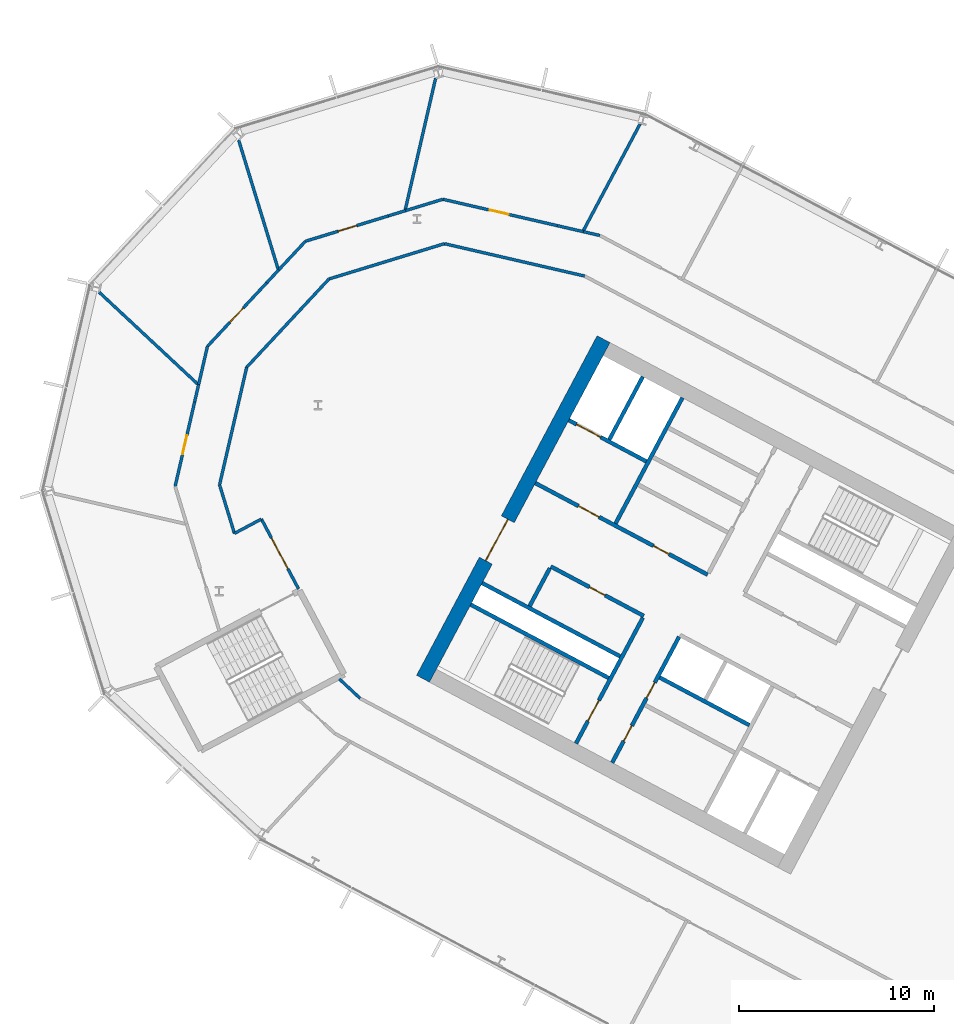
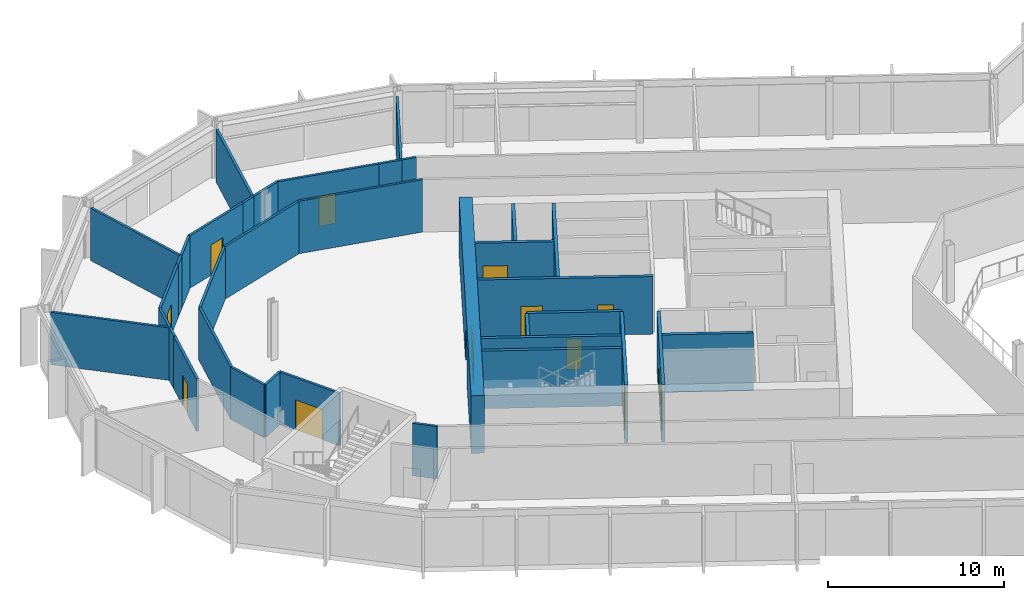
# One storey, part 14 of 28: 36 walls, 13 doors, 13 openings.
"""IFC4 building model written with IfcOpenShell, lengths in metres."""

from ifc_helpers import new_model, si_unit, direction, frame, frame_2d, origin, place, context, subcontext, project, spatial, rectangle, extrude, material, layer, layer_set, type_object, element, fill, save


model = new_model("IFC4")

# Units and contexts
model_context = context("Model", 3, precision=1e-05, world=origin(), true_north=direction((0.0, 1.0)))
body_context = subcontext(model_context, "Body", "Model", "MODEL_VIEW")
ifc_project = project(units=[si_unit("LENGTHUNIT", "METRE"), si_unit("AREAUNIT", "SQUARE_METRE"), si_unit("VOLUMEUNIT", "CUBIC_METRE"), si_unit("PLANEANGLEUNIT", "RADIAN"), si_unit("MASSUNIT", "GRAM", prefix="KILO")], contexts=[model_context])

# Site, building, storey
site_placement = place(None, origin())
site = spatial("IfcSite", under=ifc_project, at=site_placement, CompositionType="ELEMENT")
building_placement = place(site_placement, origin())
building = spatial("IfcBuilding", under=site, at=building_placement, Name="Cormorant Relay Tower", CompositionType="ELEMENT")
storey_placement = place(building_placement, frame((0.0, 0.0, 154.199951171875)))
storey = spatial("IfcBuildingStorey", under=building, at=storey_placement, Name="L32", CompositionType="ELEMENT", Elevation=154.199951171875)

# Wall, openings, doors
ifc_material_1 = material(Name="Concrete 50 MPa", Category="concrete")
ifc_layer_1 = layer(ifc_material_1, 0.199951171875)
ifc_layer_set_1 = layer_set([ifc_layer_1], Name="Core shaft wall 200")
wall_type_1 = type_object("IfcWallType", Name="Core shaft wall 200", PredefinedType="SHEAR", material=ifc_layer_set_1)
wall_1_placement = place(storey_placement, frame((-28.128173828125, 12.91748046875, 0.0), z_axis=(0.0, 0.0, 1.0), x_axis=(-0.469454336211, -0.882956752176, 0.0)))
wall_1 = element("IfcWall", 1, at=wall_1_placement, inside=storey, type_object=wall_type_1, Name="L32 core A shaft wall", PredefinedType="SHEAR", context=body_context, shape_type="SweptSolid", body=[
    extrude(rectangle(XDim=7.300048828125, YDim=0.199951171875, at=frame_2d((3.64990234375, 0.0))), origin(), (0.0, 0.0, 1.0), 4.0),
])
opening_1_placement = place(wall_1_placement, frame((2.64990234375, 0.0, 0.0)))
opening_1 = element("IfcOpeningElement", 2, at=opening_1_placement, cuts=wall_1, Name="Opening CDD-172", PredefinedType="OPENING", context=body_context, shape_type="SweptSolid", body=[
    extrude(rectangle(XDim=0.89990234375, YDim=2.10009765625, at=frame_2d((0.449951171875, 1.050048828125))), frame((0.0, 0.10986328125, 0.0), z_axis=(0.0, -1.0, 0.0), x_axis=(1.0, 0.0, 0.0)), (0.0, 0.0, 1.0), 0.219970703125),
])
opening_2_placement = place(wall_1_placement, frame((5.14990234375, 0.0, 0.0)))
opening_2 = element("IfcOpeningElement", 3, at=opening_2_placement, cuts=wall_1, Name="Opening CDD-173", PredefinedType="OPENING", context=body_context, shape_type="SweptSolid", body=[
    extrude(rectangle(XDim=0.89990234375, YDim=2.10009765625, at=frame_2d((0.449951171875, 1.050048828125))), frame((0.0, 0.10986328125, 0.0), z_axis=(0.0, -1.0, 0.0), x_axis=(1.0, 0.0, 0.0)), (0.0, 0.0, 1.0), 0.219970703125),
])
ifc_material_2 = material(Name="Steel fire door", Category="steel")
door_type_1 = type_object("IfcDoorType", Name="Core room door 900x2100", OperationType="SINGLE_SWING_LEFT", PredefinedType="DOOR", material=ifc_material_2)
door_1_placement = place(opening_1_placement, origin())
door_1 = element("IfcDoor", 4, at=door_1_placement, inside=storey, type_object=door_type_1, Name="Core room door 900x2100", OperationType="SINGLE_SWING_LEFT", OverallHeight=2.10009765625, OverallWidth=0.89990234375, PredefinedType="DOOR", context=body_context, shape_type="SweptSolid", body=[
    extrude(rectangle(XDim=0.89990234375, YDim=2.10009765625, at=frame_2d((0.449951171875, 1.050048828125))), frame((0.0, 0.02490234375, 0.0), z_axis=(0.0, -1.0, 0.0), x_axis=(1.0, 0.0, 0.0)), (0.0, 0.0, 1.0), 0.050048828125),
])
fill(opening_1, door_1)
door_2_placement = place(opening_2_placement, origin())
door_2 = element("IfcDoor", 5, at=door_2_placement, inside=storey, type_object=door_type_1, Name="Core room door 900x2100", OperationType="SINGLE_SWING_LEFT", OverallHeight=2.10009765625, OverallWidth=0.89990234375, PredefinedType="DOOR", context=body_context, shape_type="SweptSolid", body=[
    extrude(rectangle(XDim=0.89990234375, YDim=2.10009765625, at=frame_2d((0.449951171875, 1.050048828125))), frame((0.0, 0.02490234375, 0.0), z_axis=(0.0, -1.0, 0.0), x_axis=(1.0, 0.0, 0.0)), (0.0, 0.0, 1.0), 0.050048828125),
])
fill(opening_2, door_2)

# Wall, opening, door
wall_2_placement = place(storey_placement, frame((-29.982421875, 13.9033203125, 0.0), z_axis=(0.0, 0.0, 1.0), x_axis=(-0.469454336211, -0.882956752176, 0.0)))
wall_2 = element("IfcWall", 6, at=wall_2_placement, inside=storey, type_object=wall_type_1, Name="L32 core A shaft wall", PredefinedType="SHEAR", context=body_context, shape_type="SweptSolid", body=[
    extrude(rectangle(XDim=7.300048828125, YDim=0.199951171875, at=frame_2d((3.64990234375, 0.0))), origin(), (0.0, 0.0, 1.0), 4.0),
])
opening_3_placement = place(wall_2_placement, frame((4.800048828125, 0.0, 0.0)))
opening_3 = element("IfcOpeningElement", 7, at=opening_3_placement, cuts=wall_2, Name="Opening CDB-035", PredefinedType="OPENING", context=body_context, shape_type="SweptSolid", body=[
    extrude(rectangle(XDim=1.199951171875, YDim=2.10009765625, at=frame_2d((0.60009765625, 1.050048828125))), frame((0.0, 0.10986328125, 0.0), z_axis=(0.0, -1.0, 0.0), x_axis=(1.0, 0.0, 0.0)), (0.0, 0.0, 1.0), 0.219970703125),
])
ifc_material_3 = material(Name="Steel fire door", Category="steel")
door_type_2 = type_object("IfcDoorType", Name="Core stair door 1200x2100", OperationType="SINGLE_SWING_LEFT", PredefinedType="DOOR", material=ifc_material_3)
door_3_placement = place(opening_3_placement, frame((1.199951171875, 0.0, 0.0), z_axis=(0.0, 0.0, 1.0), x_axis=(-1.0, 0.0, 0.0)))
door_3 = element("IfcDoor", 8, at=door_3_placement, inside=storey, type_object=door_type_2, Name="Core stair door 1200x2100", OperationType="SINGLE_SWING_RIGHT", OverallHeight=2.10009765625, OverallWidth=1.199951171875, PredefinedType="DOOR", context=body_context, shape_type="SweptSolid", body=[
    extrude(rectangle(XDim=1.199951171875, YDim=2.10009765625, at=frame_2d((0.60009765625, 1.050048828125))), frame((0.0, 0.02490234375, 0.0), z_axis=(0.0, -1.0, 0.0), x_axis=(1.0, 0.0, 0.0)), (0.0, 0.0, 1.0), 0.050048828125),
])
fill(opening_3, door_3)

# Walls
wall_3_placement = place(storey_placement, frame((-27.955322265625, 25.170654296875, 0.0), z_axis=(0.0, 0.0, 1.0), x_axis=(-0.469480409012, -0.88294288918, 0.0)))
element("IfcWall", 9, at=wall_3_placement, inside=storey, type_object=wall_type_1, Name="L32 core A shaft wall", PredefinedType="SHEAR", context=body_context, shape_type="SweptSolid", body=[
    extrude(rectangle(XDim=7.300048828125, YDim=0.199951171875, at=frame_2d((3.64990234375, 0.0))), origin(), (0.0, 0.0, 1.0), 4.0),
])
wall_4_placement = place(storey_placement, frame((-34.750244140625, 16.4384765625, 0.0), z_axis=(0.0, 0.0, 1.0), x_axis=(-0.469401318492, -0.882984938828, 0.0)))
element("IfcWall", 10, at=wall_4_placement, inside=storey, type_object=wall_type_1, Name="L32 core A shaft wall", PredefinedType="SHEAR", context=body_context, shape_type="SweptSolid", body=[
    extrude(rectangle(XDim=2.199951171875, YDim=0.199951171875, at=frame_2d((1.10009765625, 0.0))), origin(), (0.0, 0.0, 1.0), 4.0),
])
wall_5_placement = place(storey_placement, frame((-29.986083984375, 26.250244140625, 0.0), z_axis=(0.0, 0.0, 1.0), x_axis=(-0.469494272526, -0.882935517501, 0.0)))
element("IfcWall", 11, at=wall_5_placement, inside=storey, type_object=wall_type_1, Name="L32 core A shaft wall", PredefinedType="SHEAR", context=body_context, shape_type="SweptSolid", body=[
    extrude(rectangle(XDim=3.64990234375, YDim=0.199951171875, at=frame_2d((1.824951171875, 0.0))), origin(), (0.0, 0.0, 1.0), 4.0),
])

# Wall, opening, door
wall_6_placement = place(storey_placement, frame((-29.80419921875, 21.906494140625, 0.0), z_axis=(0.0, 0.0, 1.0), x_axis=(-0.882960433586, 0.469447412093, 0.0)))
wall_6 = element("IfcWall", 12, at=wall_6_placement, inside=storey, type_object=wall_type_1, Name="L32 core A shaft wall", PredefinedType="SHEAR", context=body_context, shape_type="SweptSolid", body=[
    extrude(rectangle(XDim=4.5, YDim=0.199951171875, at=frame_2d((2.25, 0.0))), origin(), (0.0, 0.0, 1.0), 4.0),
])
opening_4_placement = place(wall_6_placement, frame((2.64990234375, 0.0, 0.0)))
opening_4 = element("IfcOpeningElement", 13, at=opening_4_placement, cuts=wall_6, Name="Opening LD3-013", PredefinedType="OPENING", context=body_context, shape_type="SweptSolid", body=[
    extrude(rectangle(XDim=1.39990234375, YDim=2.39990234375, at=frame_2d((0.699951171875, 1.199951171875))), frame((0.0, 0.10986328125, 0.0), z_axis=(0.0, -1.0, 0.0), x_axis=(1.0, 0.0, 0.0)), (0.0, 0.0, 1.0), 0.219970703125),
])
ifc_material_4 = material(Name="Stainless steel 316", Category="steel")
door_type_3 = type_object("IfcDoorType", Name="Lift landing door 1400x2400", OperationType="DOUBLE_DOOR_SLIDING", PredefinedType="DOOR", material=ifc_material_4)
door_4_placement = place(opening_4_placement, origin())
door_4 = element("IfcDoor", 14, at=door_4_placement, inside=storey, type_object=door_type_3, Name="SV1 landing door", OperationType="DOUBLE_DOOR_SLIDING", OverallHeight=2.39990234375, OverallWidth=1.39990234375, PredefinedType="DOOR", context=body_context, shape_type="SweptSolid", body=[
    extrude(rectangle(XDim=1.39990234375, YDim=2.39990234375, at=frame_2d((0.699951171875, 1.199951171875))), frame((0.0, 0.02490234375, 0.0), z_axis=(0.0, -1.0, 0.0), x_axis=(1.0, 0.0, 0.0)), (0.0, 0.0, 1.0), 0.050048828125),
])
fill(opening_4, door_4)

# Wall, openings, doors
wall_7_placement = place(storey_placement, frame((-26.66162109375, 16.1015625, 0.0), z_axis=(0.0, 0.0, 1.0), x_axis=(-0.882940221191, 0.469485426614, 0.0)))
wall_7 = element("IfcWall", 15, at=wall_7_placement, inside=storey, type_object=wall_type_1, Name="L32 core A shaft wall", PredefinedType="SHEAR", context=body_context, shape_type="SweptSolid", body=[
    extrude(rectangle(XDim=10.0, YDim=0.199951171875, at=frame_2d((5.0, 0.0))), origin(), (0.0, 0.0, 1.0), 4.0),
])
opening_5_placement = place(wall_7_placement, frame((6.300048828125, 0.0, 0.0)))
opening_5 = element("IfcOpeningElement", 16, at=opening_5_placement, cuts=wall_7, Name="Opening CDC-026", PredefinedType="OPENING", context=body_context, shape_type="SweptSolid", body=[
    extrude(rectangle(XDim=1.199951171875, YDim=2.10009765625, at=frame_2d((0.60009765625, 1.050048828125))), frame((0.0, 0.10986328125, 0.0), z_axis=(0.0, -1.0, 0.0), x_axis=(1.0, 0.0, 0.0)), (0.0, 0.0, 1.0), 0.219970703125),
])
opening_6_placement = place(wall_7_placement, frame((2.25, 0.0, 0.0)))
opening_6 = element("IfcOpeningElement", 17, at=opening_6_placement, cuts=wall_7, Name="Opening CDD-207", PredefinedType="OPENING", context=body_context, shape_type="SweptSolid", body=[
    extrude(rectangle(XDim=0.89990234375, YDim=2.10009765625, at=frame_2d((0.449951171875, 1.050048828125))), frame((0.0, 0.10986328125, 0.0), z_axis=(0.0, -1.0, 0.0), x_axis=(1.0, 0.0, 0.0)), (0.0, 0.0, 1.0), 0.219970703125),
])
ifc_material_5 = material(Name="Steel fire door", Category="steel")
door_type_4 = type_object("IfcDoorType", Name="Core lobby door 1200x2100", OperationType="SINGLE_SWING_LEFT", PredefinedType="DOOR", material=ifc_material_5)
door_5_placement = place(opening_5_placement, origin())
door_5 = element("IfcDoor", 18, at=door_5_placement, inside=storey, type_object=door_type_4, Name="Core lobby door 1200x2100", OperationType="SINGLE_SWING_LEFT", OverallHeight=2.10009765625, OverallWidth=1.199951171875, PredefinedType="DOOR", context=body_context, shape_type="SweptSolid", body=[
    extrude(rectangle(XDim=1.199951171875, YDim=2.10009765625, at=frame_2d((0.60009765625, 1.050048828125))), frame((0.0, 0.02490234375, 0.0), z_axis=(0.0, -1.0, 0.0), x_axis=(1.0, 0.0, 0.0)), (0.0, 0.0, 1.0), 0.050048828125),
])
fill(opening_5, door_5)
door_6_placement = place(opening_6_placement, origin())
door_6 = element("IfcDoor", 19, at=door_6_placement, inside=storey, type_object=door_type_1, Name="Core room door 900x2100", OperationType="SINGLE_SWING_LEFT", OverallHeight=2.10009765625, OverallWidth=0.89990234375, PredefinedType="DOOR", context=body_context, shape_type="SweptSolid", body=[
    extrude(rectangle(XDim=0.89990234375, YDim=2.10009765625, at=frame_2d((0.449951171875, 1.050048828125))), frame((0.0, 0.02490234375, 0.0), z_axis=(0.0, -1.0, 0.0), x_axis=(1.0, 0.0, 0.0)), (0.0, 0.0, 1.0), 0.050048828125),
])
fill(opening_6, door_6)

# Wall, opening, door
wall_8_placement = place(storey_placement, frame((-29.935302734375, 13.991455078125, 0.0), z_axis=(0.0, 0.0, 1.0), x_axis=(-0.882952937579, 0.469461510692, 0.0)))
wall_8 = element("IfcWall", 20, at=wall_8_placement, inside=storey, type_object=wall_type_1, Name="L32 core A shaft wall", PredefinedType="SHEAR", context=body_context, shape_type="SweptSolid", body=[
    extrude(rectangle(XDim=5.400146484375, YDim=0.199951171875, at=frame_2d((2.7001953125, 0.0))), origin(), (0.0, 0.0, 1.0), 4.0),
])
opening_7_placement = place(wall_8_placement, frame((2.25, 0.0, 0.0)))
opening_7 = element("IfcOpeningElement", 21, at=opening_7_placement, cuts=wall_8, Name="Opening CDD-184", PredefinedType="OPENING", context=body_context, shape_type="SweptSolid", body=[
    extrude(rectangle(XDim=0.89990234375, YDim=2.10009765625, at=frame_2d((0.449951171875, 1.050048828125))), frame((0.0, 0.10986328125, 0.0), z_axis=(0.0, -1.0, 0.0), x_axis=(1.0, 0.0, 0.0)), (0.0, 0.0, 1.0), 0.219970703125),
])
door_7_placement = place(opening_7_placement, origin())
door_7 = element("IfcDoor", 22, at=door_7_placement, inside=storey, type_object=door_type_1, Name="Core room door 900x2100", OperationType="SINGLE_SWING_LEFT", OverallHeight=2.10009765625, OverallWidth=0.89990234375, PredefinedType="DOOR", context=body_context, shape_type="SweptSolid", body=[
    extrude(rectangle(XDim=0.89990234375, YDim=2.10009765625, at=frame_2d((0.449951171875, 1.050048828125))), frame((0.0, 0.02490234375, 0.0), z_axis=(0.0, -1.0, 0.0), x_axis=(1.0, 0.0, 0.0)), (0.0, 0.0, 1.0), 0.050048828125),
])
fill(opening_7, door_7)

# Walls
wall_9_placement = place(storey_placement, frame((-24.5283203125, 8.3984375, 0.0), z_axis=(0.0, 0.0, 1.0), x_axis=(-0.882953967957, 0.469459572775, 0.0)))
element("IfcWall", 23, at=wall_9_placement, inside=storey, type_object=wall_type_1, Name="L32 core A shaft wall", PredefinedType="SHEAR", context=body_context, shape_type="SweptSolid", body=[
    extrude(rectangle(XDim=5.199951171875, YDim=0.199951171875, at=frame_2d((2.60009765625, 0.0))), origin(), (0.0, 0.0, 1.0), 4.0),
])
for number, where, z_axis, x_axis, name in (
    (24, (-31.150390625, 11.91943359375, 0.0), (0.0, 0.0, 1.0), (-0.882940221191, 0.469485426614, 0.0), "L32 core A shaft wall"),
    (25, (-31.7373046875, 10.815673828125, 0.0), (0.0, 0.0, 1.0), (-0.882940221191, 0.469485426614, 0.0), "L32 core A shaft wall"),
):
    element("IfcWall", number, at=place(storey_placement, frame(where, z_axis=z_axis, x_axis=x_axis)), inside=storey, type_object=wall_type_1, Name=name, PredefinedType="SHEAR", context=body_context, shape_type="SweptSolid", body=[
        extrude(rectangle(XDim=8.0, YDim=0.199951171875, at=frame_2d((4.0, 0.0))), origin(), (0.0, 0.0, 1.0), 4.0),
    ])

# Wall, opening, door
ifc_material_6 = material(Name="Concrete 60 MPa", Category="concrete")
ifc_layer_2 = layer(ifc_material_6, 0.75)
ifc_layer_set_2 = layer_set([ifc_layer_2], Name="Core wall 750")
wall_type_2 = type_object("IfcWallType", Name="Core wall 750", PredefinedType="SHEAR", material=ifc_layer_set_2)
wall_10_placement = place(storey_placement, frame((-31.995849609375, 28.16845703125, 0.0), z_axis=(0.0, 0.0, 1.0), x_axis=(-0.469479580143, -0.882943329908, 0.0)))
wall_10 = element("IfcWall", 26, at=wall_10_placement, inside=storey, type_object=wall_type_2, Name="L32 core A wall", PredefinedType="SHEAR", context=body_context, shape_type="SweptSolid", body=[
    extrude(rectangle(XDim=19.699951171875, YDim=0.75, at=frame_2d((9.85009765625, 0.0))), origin(), (0.0, 0.0, 1.0), 4.0),
])
opening_8_placement = place(wall_10_placement, frame((10.449951171875, 0.0, 0.0)))
opening_8 = element("IfcOpeningElement", 27, at=opening_8_placement, cuts=wall_10, Name="Opening CDA-027", PredefinedType="OPENING", context=body_context, shape_type="SweptSolid", body=[
    extrude(rectangle(XDim=2.39990234375, YDim=2.39990234375, at=frame_2d((1.199951171875, 1.199951171875))), frame((0.0, 0.385009765625, 0.0), z_axis=(0.0, -1.0, 0.0), x_axis=(1.0, 0.0, 0.0)), (0.0, 0.0, 1.0), 0.77001953125),
])
ifc_material_7 = material(Name="Steel fire door", Category="steel")
door_type_5 = type_object("IfcDoorType", Name="Core lobby door 2400x2400", OperationType="DOUBLE_DOOR_SINGLE_SWING", PredefinedType="DOOR", material=ifc_material_7)
door_8_placement = place(opening_8_placement, origin())
door_8 = element("IfcDoor", 28, at=door_8_placement, inside=storey, type_object=door_type_5, Name="Core lobby door 2400x2400", OperationType="DOUBLE_DOOR_SINGLE_SWING", OverallHeight=2.39990234375, OverallWidth=2.39990234375, PredefinedType="DOOR", context=body_context, shape_type="SweptSolid", body=[
    extrude(rectangle(XDim=2.39990234375, YDim=2.39990234375, at=frame_2d((1.199951171875, 1.199951171875))), frame((0.0, 0.02490234375, 0.0), z_axis=(0.0, -1.0, 0.0), x_axis=(1.0, 0.0, 0.0)), (0.0, 0.0, 1.0), 0.050048828125),
])
fill(opening_8, door_8)

ifc_material_8 = material(Name="Gypsum board fire partition")
ifc_layer_3 = layer(ifc_material_8, 0.14990234375)
ifc_layer_set_3 = layer_set([ifc_layer_3], Name="Corridor partition 150 EI 60")
wall_type_3 = type_object("IfcWallType", Name="Corridor partition 150 EI 60", PredefinedType="PARTITIONING", material=ifc_layer_set_3)
wall_11_placement = place(storey_placement, frame((-52.944091796875, 24.9560546875, 0.0), z_axis=(0.0, 0.0, 1.0), x_axis=(-0.225004075032, -0.974357822475, 0.0)))
wall_11 = element("IfcWall", 29, at=wall_11_placement, inside=storey, type_object=wall_type_3, Name="wall/L32/part/004", PredefinedType="PARTITIONING", context=body_context, shape_type="SweptSolid", body=[
    extrude(rectangle(XDim=4.43994140625, YDim=0.14990234375, at=frame_2d((2.219970703125, 0.0))), origin(), (0.0, 0.0, 1.0), 3.64013671875),
])
opening_9_placement = place(wall_11_placement, frame((1.75, 0.0, 0.0)))
opening_9 = element("IfcOpeningElement", 30, at=opening_9_placement, cuts=wall_11, Name="Opening DS-057", PredefinedType="OPENING", context=body_context, shape_type="SweptSolid", body=[
    extrude(rectangle(XDim=1.0, YDim=2.10009765625, at=frame_2d((0.5, 1.050048828125))), frame((0.0, 0.0849609375, 0.0), z_axis=(0.0, -1.0, 0.0), x_axis=(1.0, 0.0, 0.0)), (0.0, 0.0, 1.0), 0.169921875),
])
ifc_material_9 = material(Name="Timber door leaf", Category="wood")
door_type_6 = type_object("IfcDoorType", Name="Suite door 1000x2100", OperationType="SINGLE_SWING_LEFT", PredefinedType="DOOR", material=ifc_material_9)
door_9_placement = place(opening_9_placement, frame((1.0, 0.0, 0.0), z_axis=(0.0, 0.0, 1.0), x_axis=(-1.0, 0.0, 0.0)))
door_9 = element("IfcDoor", 31, at=door_9_placement, inside=storey, type_object=door_type_6, Name="door/L32/015", OperationType="SINGLE_SWING_RIGHT", OverallHeight=2.10009765625, OverallWidth=1.0, PredefinedType="DOOR", context=body_context, shape_type="SweptSolid", body=[
    extrude(rectangle(XDim=1.0, YDim=2.10009765625, at=frame_2d((0.5, 1.050048828125))), frame((0.0, 0.02490234375, 0.0), z_axis=(0.0, -1.0, 0.0), x_axis=(1.0, 0.0, 0.0)), (0.0, 0.0, 1.0), 0.050048828125),
])
fill(opening_9, door_9)

# Wall
wall_12_placement = place(storey_placement, frame((-52.944091796875, 24.9560546875, 0.0), z_axis=(0.0, 0.0, 1.0), x_axis=(0.224898245089, 0.974382255255, 0.0)))
element("IfcWall", 32, at=wall_12_placement, inside=storey, type_object=wall_type_3, Name="wall/L32/part/007", PredefinedType="PARTITIONING", context=body_context, shape_type="SweptSolid", body=[
    extrude(rectangle(XDim=0.920654296875, YDim=0.14990234375, at=frame_2d((0.46044921875, 0.0))), origin(), (0.0, 0.0, 1.0), 3.64013671875),
])

# Wall, opening, door
wall_13_placement = place(storey_placement, frame((-49.260009765625, 31.048095703125, 0.0), z_axis=(0.0, 0.0, 1.0), x_axis=(-0.682006580668, -0.731346035694, 0.0)))
wall_13 = element("IfcWall", 33, at=wall_13_placement, inside=storey, type_object=wall_type_3, Name="wall/L32/part/008", PredefinedType="PARTITIONING", context=body_context, shape_type="SweptSolid", body=[
    extrude(rectangle(XDim=4.4384765625, YDim=0.14990234375, at=frame_2d((2.21923828125, 0.0))), origin(), (0.0, 0.0, 1.0), 3.64013671875),
])
opening_10_placement = place(wall_13_placement, frame((1.7509765625, 0.0, 0.0)))
opening_10 = element("IfcOpeningElement", 34, at=opening_10_placement, cuts=wall_13, Name="Opening DS-056", PredefinedType="OPENING", context=body_context, shape_type="SweptSolid", body=[
    extrude(rectangle(XDim=1.0, YDim=2.10009765625, at=frame_2d((0.5, 1.050048828125))), frame((0.0, 0.0849609375, 0.0), z_axis=(0.0, -1.0, 0.0), x_axis=(1.0, 0.0, 0.0)), (0.0, 0.0, 1.0), 0.169921875),
])
door_10_placement = place(opening_10_placement, frame((1.0, 0.0, 0.0), z_axis=(0.0, 0.0, 1.0), x_axis=(-1.0, 0.0, 0.0)))
door_10 = element("IfcDoor", 35, at=door_10_placement, inside=storey, type_object=door_type_6, Name="door/L32/014", OperationType="SINGLE_SWING_RIGHT", OverallHeight=2.10009765625, OverallWidth=1.0, PredefinedType="DOOR", context=body_context, shape_type="SweptSolid", body=[
    extrude(rectangle(XDim=1.0, YDim=2.10009765625, at=frame_2d((0.5, 1.050048828125))), frame((0.0, 0.02490234375, 0.0), z_axis=(0.0, -1.0, 0.0), x_axis=(1.0, 0.0, 0.0)), (0.0, 0.0, 1.0), 0.050048828125),
])
fill(opening_10, door_10)

# Walls
wall_14_placement = place(storey_placement, frame((-52.287109375, 27.802001953125, 0.0), z_axis=(0.0, 0.0, 1.0), x_axis=(-0.224948647558, -0.974370620432, 0.0)))
element("IfcWall", 36, at=wall_14_placement, inside=storey, type_object=wall_type_3, Name="wall/L32/part/009", PredefinedType="PARTITIONING", context=body_context, shape_type="SweptSolid", body=[
    extrude(rectangle(XDim=2.000244140625, YDim=0.14990234375, at=frame_2d((1.0, 0.0))), origin(), (0.0, 0.0, 1.0), 3.64013671875),
])
wall_15_placement = place(storey_placement, frame((-49.260009765625, 31.048095703125, 0.0), z_axis=(0.0, 0.0, 1.0), x_axis=(0.68175139462, 0.731583922687, 0.0)))
element("IfcWall", 37, at=wall_15_placement, inside=storey, type_object=wall_type_3, Name="wall/L32/part/013", PredefinedType="PARTITIONING", context=body_context, shape_type="SweptSolid", body=[
    extrude(rectangle(XDim=0.921142578125, YDim=0.14990234375, at=frame_2d((0.46044921875, 0.0))), origin(), (0.0, 0.0, 1.0), 3.64013671875),
])
wall_16_placement = place(storey_placement, frame((-47.26708984375, 33.18505859375, 0.0), z_axis=(0.0, 0.0, 1.0), x_axis=(-0.682157389431, -0.731205372002, 0.0)))
element("IfcWall", 38, at=wall_16_placement, inside=storey, type_object=wall_type_3, Name="wall/L32/part/014", PredefinedType="PARTITIONING", context=body_context, shape_type="SweptSolid", body=[
    extrude(rectangle(XDim=2.0009765625, YDim=0.14990234375, at=frame_2d((1.00048828125, 0.0))), origin(), (0.0, 0.0, 1.0), 3.64013671875),
])

# Wall, opening, door
wall_17_placement = place(storey_placement, frame((-47.26806640625, 33.18505859375, 0.0), z_axis=(0.0, 0.0, 1.0), x_axis=(0.956324248272, 0.292307940652, 0.0)))
wall_17 = element("IfcWall", 39, at=wall_17_placement, inside=storey, type_object=wall_type_3, Name="wall/L32/part/015", PredefinedType="PARTITIONING", context=body_context, shape_type="SweptSolid", body=[
    extrude(rectangle(XDim=4.43994140625, YDim=0.14990234375, at=frame_2d((2.219970703125, 0.0))), origin(), (0.0, 0.0, 1.0), 3.64013671875),
])
opening_11_placement = place(wall_17_placement, frame((1.75, 0.0, 0.0)))
opening_11 = element("IfcOpeningElement", 40, at=opening_11_placement, cuts=wall_17, Name="Opening DS-055", PredefinedType="OPENING", context=body_context, shape_type="SweptSolid", body=[
    extrude(rectangle(XDim=1.0, YDim=2.10009765625, at=frame_2d((0.5, 1.050048828125))), frame((0.0, 0.0849609375, 0.0), z_axis=(0.0, -1.0, 0.0), x_axis=(1.0, 0.0, 0.0)), (0.0, 0.0, 1.0), 0.169921875),
])
door_11_placement = place(opening_11_placement, origin())
door_11 = element("IfcDoor", 41, at=door_11_placement, inside=storey, type_object=door_type_6, Name="door/L32/013", OperationType="SINGLE_SWING_RIGHT", OverallHeight=2.10009765625, OverallWidth=1.0, PredefinedType="DOOR", context=body_context, shape_type="SweptSolid", body=[
    extrude(rectangle(XDim=1.0, YDim=2.10009765625, at=frame_2d((0.5, 1.050048828125))), frame((0.0, 0.02490234375, 0.0), z_axis=(0.0, -1.0, 0.0), x_axis=(1.0, 0.0, 0.0)), (0.0, 0.0, 1.0), 0.050048828125),
])
fill(opening_11, door_11)

wall_18_placement = place(storey_placement, frame((-47.62109375, 15.3779296875, 0.0), z_axis=(0.0, 0.0, 1.0), x_axis=(-0.469542997944, 0.882909606404, 0.0)))
wall_18 = element("IfcWall", 42, at=wall_18_placement, inside=storey, type_object=wall_type_3, Name="wall/L32/part/016", PredefinedType="PARTITIONING", context=body_context, shape_type="SweptSolid", body=[
    extrude(rectangle(XDim=4.050537109375, YDim=0.14990234375, at=frame_2d((2.025390625, 0.0))), origin(), (0.0, 0.0, 1.0), 3.64013671875),
])
opening_12_placement = place(wall_18_placement, frame((1.14990234375, 0.0, 0.0)))
opening_12 = element("IfcOpeningElement", 43, at=opening_12_placement, cuts=wall_18, Name="Opening DD-005", PredefinedType="OPENING", context=body_context, shape_type="SweptSolid", body=[
    extrude(rectangle(XDim=1.800048828125, YDim=2.10009765625, at=frame_2d((0.89990234375, 1.050048828125))), frame((0.0, 0.0849609375, 0.0), z_axis=(0.0, -1.0, 0.0), x_axis=(1.0, 0.0, 0.0)), (0.0, 0.0, 1.0), 0.169921875),
])
ifc_material_10 = material(Name="Timber door leaf", Category="wood")
door_type_7 = type_object("IfcDoorType", Name="Suite double door 1800x2100", OperationType="DOUBLE_DOOR_SINGLE_SWING", PredefinedType="DOOR", material=ifc_material_10)
door_12_placement = place(opening_12_placement, frame((1.800048828125, 0.0, 0.0), z_axis=(0.0, 0.0, 1.0), x_axis=(-1.0, 0.0, 0.0)))
door_12 = element("IfcDoor", 44, at=door_12_placement, inside=storey, type_object=door_type_7, Name="door/L32/001", OperationType="DOUBLE_DOOR_SINGLE_SWING", OverallHeight=2.10009765625, OverallWidth=1.800048828125, PredefinedType="DOOR", context=body_context, shape_type="SweptSolid", body=[
    extrude(rectangle(XDim=1.800048828125, YDim=2.10009765625, at=frame_2d((0.89990234375, 1.050048828125))), frame((0.0, 0.02490234375, 0.0), z_axis=(0.0, -1.0, 0.0), x_axis=(1.0, 0.0, 0.0)), (0.0, 0.0, 1.0), 0.050048828125),
])
fill(opening_12, door_12)

# Walls
wall_19_placement = place(storey_placement, frame((-49.52294921875, 18.9541015625, 0.0), z_axis=(0.0, 0.0, 1.0), x_axis=(-0.882883395231, -0.469592281053, 0.0)))
element("IfcWall", 45, at=wall_19_placement, inside=storey, type_object=wall_type_3, Name="wall/L32/part/017", PredefinedType="PARTITIONING", context=body_context, shape_type="SweptSolid", body=[
    extrude(rectangle(XDim=1.5654296875, YDim=0.14990234375, at=frame_2d((0.78271484375, 0.0))), origin(), (0.0, 0.0, 1.0), 3.64013671875),
])
wall_20_placement = place(storey_placement, frame((-50.905029296875, 18.218994140625, 0.0), z_axis=(0.0, 0.0, 1.0), x_axis=(-0.292616300327, 0.956229941376, 0.0)))
element("IfcWall", 46, at=wall_20_placement, inside=storey, type_object=wall_type_3, Name="wall/L32/part/018", PredefinedType="PARTITIONING", context=body_context, shape_type="SweptSolid", body=[
    extrude(rectangle(XDim=2.60400390625, YDim=0.14990234375, at=frame_2d((1.302001953125, 0.0))), origin(), (0.0, 0.0, 1.0), 3.64013671875),
])
wall_21_placement = place(storey_placement, frame((-51.6669921875, 20.708984375, 0.0), z_axis=(0.0, 0.0, 1.0), x_axis=(0.225044109818, 0.974348576556, 0.0)))
element("IfcWall", 47, at=wall_21_placement, inside=storey, type_object=wall_type_3, Name="wall/L32/part/019", PredefinedType="PARTITIONING", context=body_context, shape_type="SweptSolid", body=[
    extrude(rectangle(XDim=6.181396484375, YDim=0.14990234375, at=frame_2d((3.0908203125, 0.0))), origin(), (0.0, 0.0, 1.0), 3.64013671875),
])
wall_22_placement = place(storey_placement, frame((-50.27587890625, 26.73193359375, 0.0), z_axis=(0.0, 0.0, 1.0), x_axis=(0.681907204976, 0.731438694494, 0.0)))
element("IfcWall", 48, at=wall_22_placement, inside=storey, type_object=wall_type_3, Name="wall/L32/part/020", PredefinedType="PARTITIONING", context=body_context, shape_type="SweptSolid", body=[
    extrude(rectangle(XDim=6.180908203125, YDim=0.14990234375, at=frame_2d((3.09033203125, 0.0))), origin(), (0.0, 0.0, 1.0), 3.64013671875),
])
wall_23_placement = place(storey_placement, frame((-46.06103515625, 31.2529296875, 0.0), z_axis=(0.0, 0.0, 1.0), x_axis=(0.956322135821, 0.292314851724, 0.0)))
element("IfcWall", 49, at=wall_23_placement, inside=storey, type_object=wall_type_3, Name="wall/L32/part/021", PredefinedType="PARTITIONING", context=body_context, shape_type="SweptSolid", body=[
    extrude(rectangle(XDim=6.18212890625, YDim=0.14990234375, at=frame_2d((3.091064453125, 0.0))), origin(), (0.0, 0.0, 1.0), 3.64013671875),
])
wall_24_placement = place(storey_placement, frame((-40.14892578125, 33.06005859375, 0.0), z_axis=(0.0, 0.0, 1.0), x_axis=(0.97439342778, -0.224849834111, 0.0)))
element("IfcWall", 50, at=wall_24_placement, inside=storey, type_object=wall_type_3, Name="wall/L32/part/022", PredefinedType="PARTITIONING", context=body_context, shape_type="SweptSolid", body=[
    extrude(rectangle(XDim=7.37353515625, YDim=0.14990234375, at=frame_2d((3.686767578125, 0.0))), origin(), (0.0, 0.0, 1.0), 3.64013671875),
])
wall_25_placement = place(storey_placement, frame((-44.467041015625, 9.76904296875, 0.0), z_axis=(0.0, 0.0, 1.0), x_axis=(-0.731027453332, 0.682348050833, 0.0)))
element("IfcWall", 51, at=wall_25_placement, inside=storey, type_object=wall_type_3, Name="wall/L32/part/030", PredefinedType="PARTITIONING", context=body_context, shape_type="SweptSolid", body=[
    extrude(rectangle(XDim=1.45947265625, YDim=0.14990234375, at=frame_2d((0.729736328125, 0.0))), origin(), (0.0, 0.0, 1.0), 3.64013671875),
])
wall_26_placement = place(storey_placement, frame((-43.02197265625, 34.48291015625, 0.0), z_axis=(0.0, 0.0, 1.0), x_axis=(0.956293877443, 0.29240728439, 0.0)))
element("IfcWall", 52, at=wall_26_placement, inside=storey, type_object=wall_type_3, Name="wall/L32/part/032", PredefinedType="PARTITIONING", context=body_context, shape_type="SweptSolid", body=[
    extrude(rectangle(XDim=0.920166015625, YDim=0.14990234375, at=frame_2d((0.4599609375, 0.0))), origin(), (0.0, 0.0, 1.0), 3.64013671875),
])

# Wall, opening, door
wall_27_placement = place(storey_placement, frame((-34.364990234375, 33.98291015625, 0.0), z_axis=(0.0, 0.0, 1.0), x_axis=(-0.974398716152, 0.224826915563, 0.0)))
wall_27 = element("IfcWall", 53, at=wall_27_placement, inside=storey, type_object=wall_type_3, Name="wall/L32/part/034", PredefinedType="PARTITIONING", context=body_context, shape_type="SweptSolid", body=[
    extrude(rectangle(XDim=6.01806640625, YDim=0.14990234375, at=frame_2d((3.009033203125, 0.0))), origin(), (0.0, 0.0, 1.0), 3.64013671875),
])
opening_13_placement = place(wall_27_placement, frame((2.550048828125, 0.0, 0.0)))
opening_13 = element("IfcOpeningElement", 54, at=opening_13_placement, cuts=wall_27, Name="Opening DS-054", PredefinedType="OPENING", context=body_context, shape_type="SweptSolid", body=[
    extrude(rectangle(XDim=1.0, YDim=2.10009765625, at=frame_2d((0.5, 1.050048828125))), frame((0.0, 0.0849609375, 0.0), z_axis=(0.0, -1.0, 0.0), x_axis=(1.0, 0.0, 0.0)), (0.0, 0.0, 1.0), 0.169921875),
])
door_13_placement = place(opening_13_placement, frame((1.0, 0.0, 0.0), z_axis=(0.0, 0.0, 1.0), x_axis=(-1.0, 0.0, 0.0)))
door_13 = element("IfcDoor", 55, at=door_13_placement, inside=storey, type_object=door_type_6, Name="door/L32/012", OperationType="SINGLE_SWING_RIGHT", OverallHeight=2.10009765625, OverallWidth=1.0, PredefinedType="DOOR", context=body_context, shape_type="SweptSolid", body=[
    extrude(rectangle(XDim=1.0, YDim=2.10009765625, at=frame_2d((0.5, 1.050048828125))), frame((0.0, 0.02490234375, 0.0), z_axis=(0.0, -1.0, 0.0), x_axis=(1.0, 0.0, 0.0)), (0.0, 0.0, 1.0), 0.050048828125),
])
fill(opening_13, door_13)

# Walls
wall_28_placement = place(storey_placement, frame((-40.22900390625, 35.3359375, 0.0), z_axis=(0.0, 0.0, 1.0), x_axis=(-0.956431126108, -0.291958046663, 0.0)))
element("IfcWall", 56, at=wall_28_placement, inside=storey, type_object=wall_type_3, Name="wall/L32/part/035", PredefinedType="PARTITIONING", context=body_context, shape_type="SweptSolid", body=[
    extrude(rectangle(XDim=2.000244140625, YDim=0.14990234375, at=frame_2d((1.0, 0.0))), origin(), (0.0, 0.0, 1.0), 3.64013671875),
])
wall_29_placement = place(storey_placement, frame((-34.364990234375, 33.98291015625, 0.0), z_axis=(0.0, 0.0, 1.0), x_axis=(0.974424223159, -0.224716339686, 0.0)))
element("IfcWall", 57, at=wall_29_placement, inside=storey, type_object=wall_type_3, Name="wall/L32/part/036", PredefinedType="PARTITIONING", context=body_context, shape_type="SweptSolid", body=[
    extrude(rectangle(XDim=1.3701171875, YDim=0.14990234375, at=frame_2d((0.68505859375, 0.0))), origin(), (0.0, 0.0, 1.0), 3.64013671875),
])
wall_30_placement = place(storey_placement, frame((-32.18701171875, 33.47998046875, 0.0), z_axis=(0.0, 0.0, 1.0), x_axis=(-0.97425787626, 0.225436444579, 0.0)))
element("IfcWall", 58, at=wall_30_placement, inside=storey, type_object=wall_type_3, Name="wall/L32/part/038", PredefinedType="PARTITIONING", context=body_context, shape_type="SweptSolid", body=[
    extrude(rectangle(XDim=0.865234375, YDim=0.14990234375, at=frame_2d((0.4326171875, 0.0))), origin(), (0.0, 0.0, 1.0), 3.64013671875),
])
ifc_material_11 = material(Name="Gypsum board partition")
ifc_layer_4 = layer(ifc_material_11, 0.14990234375)
ifc_layer_set_4 = layer_set([ifc_layer_4], Name="Tenant partition 150")
wall_type_4 = type_object("IfcWallType", Name="Tenant partition 150", PredefinedType="PARTITIONING", material=ifc_layer_set_4)
wall_31_placement = place(storey_placement, frame((-57.841064453125, 30.580078125, 0.0), z_axis=(0.0, 0.0, 1.0), x_axis=(0.731419737189, -0.68192753871, 0.0)))
element("IfcWall", 59, at=wall_31_placement, inside=storey, type_object=wall_type_4, Name="wall/L32/part/002", PredefinedType="PARTITIONING", context=body_context, shape_type="SweptSolid", body=[
    extrude(rectangle(XDim=6.97021484375, YDim=0.14990234375, at=frame_2d((3.485107421875, 0.0))), origin(), (0.0, 0.0, 1.0), 3.64013671875),
])
for number, where, z_axis, x_axis, name in (
    (60, (-50.68798828125, 38.365966796875, 0.0), (0.0, 0.0, 1.0), (0.292460621622, -0.956277566819, 0.0), "wall/L32/part/010"),
    (61, (-40.59912109375, 41.533935546875, 0.0), (0.0, 0.0, 1.0), (-0.224987437389, -0.974361664382, 0.0), "wall/L32/part/033"),
):
    element("IfcWall", number, at=place(storey_placement, frame(where, z_axis=z_axis, x_axis=x_axis)), inside=storey, type_object=wall_type_4, Name=name, PredefinedType="PARTITIONING", context=body_context, shape_type="SweptSolid", body=[
        extrude(rectangle(XDim=6.96875, YDim=0.14990234375, at=frame_2d((3.484375, 0.0))), origin(), (0.0, 0.0, 1.0), 3.64013671875),
    ])
wall_32_placement = place(storey_placement, frame((-30.12890625, 39.18798828125, 0.0), z_axis=(0.0, 0.0, 1.0), x_axis=(-0.469448075874, -0.882960080671, 0.0)))
element("IfcWall", 62, at=wall_32_placement, inside=storey, type_object=wall_type_4, Name="wall/L32/part/037", PredefinedType="PARTITIONING", context=body_context, shape_type="SweptSolid", body=[
    extrude(rectangle(XDim=6.237060546875, YDim=0.14990234375, at=frame_2d((3.11865234375, 0.0))), origin(), (0.0, 0.0, 1.0), 3.64013671875),
])

save(model, "model.ifc")
